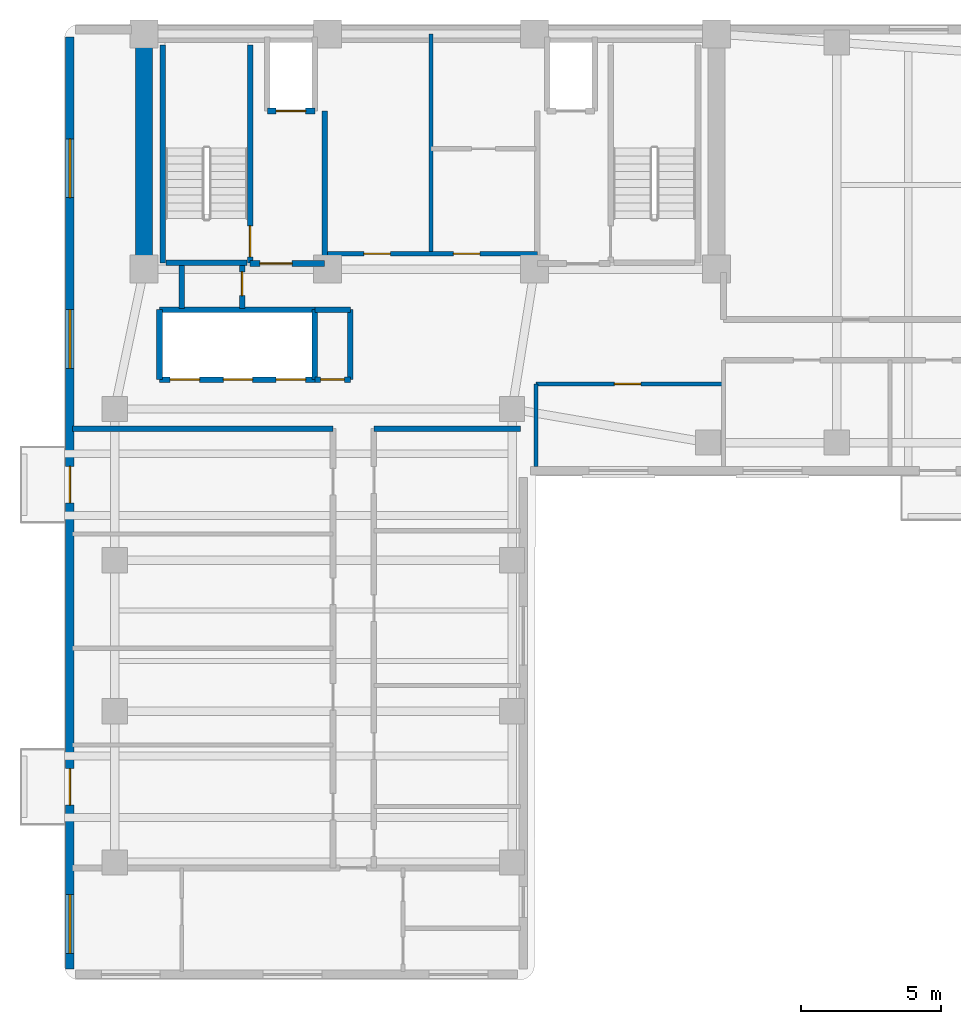
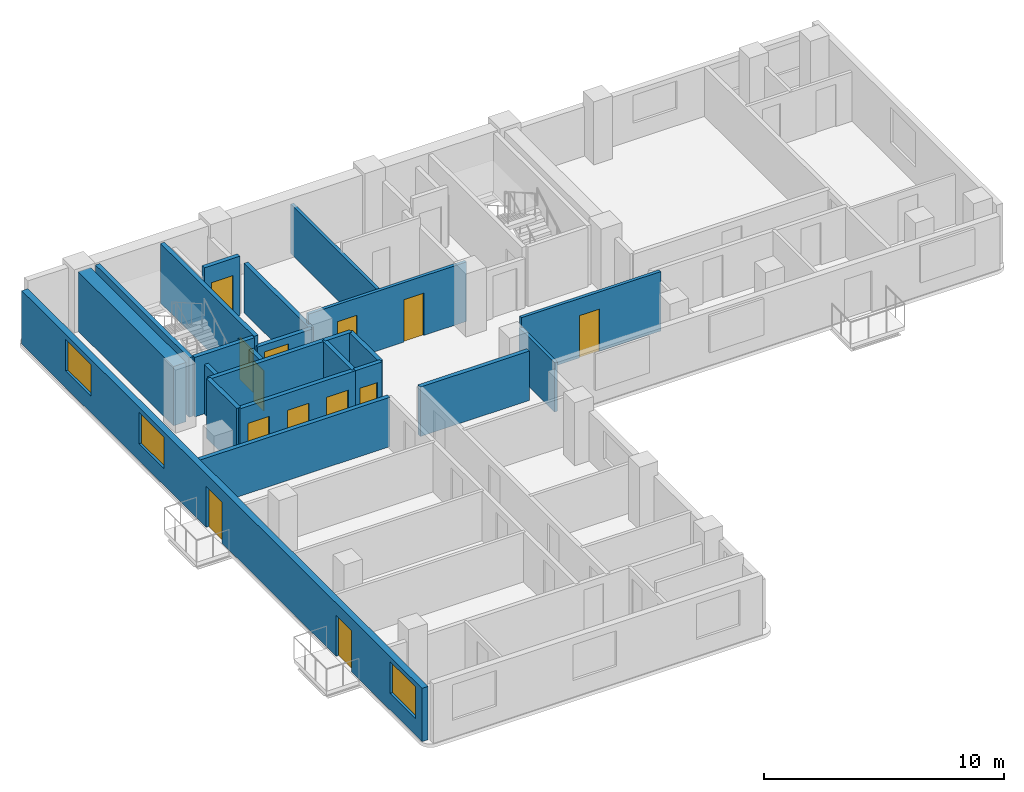
# One storey, part 3 of 7: 23 walls, 13 doors, 3 windows, 16 openings.
"""IFC4 building model written with IfcOpenShell, lengths in metres."""

import ifcopenshell
import ifcopenshell.guid

model = None  # the IFC model being written
_history = None  # IfcOwnerHistory: only IFC2X3 demands one
_inside = {}  # id of a spatial element -> (the spatial element, [elements in it])
_under = {}  # id of a project, library or spatial element -> (it, [spatial elements below it])
_declared = {}  # id of a project -> (the project, [libraries it declares])
_typed = {}  # id of a type object -> (the type object, [elements of that type])
_made_of = {}  # id of a material, layer set ... -> (it, [elements and type objects made of it])


def new_model(schema):
    """Start an empty IFC model of exactly this schema.

    Asked for "IFC4X3", IfcOpenShell would pick the latest addendum, in which some entities
    have other attributes; the version numbers below select the first issue.
    IFC2X3 requires an IfcOwnerHistory on every rooted entity: one is made here for all.
    """
    global model, _history
    if schema == "IFC4X3":
        model = ifcopenshell.file(schema_version=(4, 3, 0, 0))
    else:
        model = ifcopenshell.file(schema=schema)
    _inside.clear()
    _under.clear()
    _declared.clear()
    _typed.clear()
    _made_of.clear()
    _history = None
    if model.schema == "IFC2X3":
        org = make("IfcOrganization", Name="unknown")
        user = make(
            "IfcPersonAndOrganization",
            ThePerson=make("IfcPerson", FamilyName="unknown"),
            TheOrganization=org,
        )
        app = make(
            "IfcApplication",
            ApplicationDeveloper=org,
            Version="unknown",
            ApplicationFullName="unknown",
            ApplicationIdentifier="unknown",
        )
        _history = make(
            "IfcOwnerHistory",
            OwningUser=user,
            OwningApplication=app,
            ChangeAction="ADDED",
            CreationDate=0,
        )
    return model


def make(cls, **values):
    """One entity of the class cls with the attributes given. An attribute that is None is left unset."""
    return model.create_entity(
        cls, **{name: value for name, value in values.items() if value is not None}
    )


def rooted(cls, **values):
    """An entity with a GlobalId (a new one), such as an element, a storey or a relation."""
    return make(cls, GlobalId=ifcopenshell.guid.new(), OwnerHistory=_history, **values)


def si_unit(unit_type, name, prefix=None):
    """IfcSIUnit, for example si_unit("LENGTHUNIT", "METRE", prefix="MILLI")."""
    return make("IfcSIUnit", UnitType=unit_type, Prefix=prefix, Name=name)


def assignment(units):
    """IfcUnitAssignment: the units of a project."""
    return None if units is None else make("IfcUnitAssignment", Units=units)


def point(xyz):
    """IfcCartesianPoint."""
    return None if xyz is None else make("IfcCartesianPoint", Coordinates=xyz)


def direction(xyz):
    """IfcDirection."""
    return None if xyz is None else make("IfcDirection", DirectionRatios=xyz)


def frame(location, z_axis=None, x_axis=None):
    """IfcAxis2Placement3D, a coordinate frame: its origin and axes. An axis left out is left unset."""
    return make(
        "IfcAxis2Placement3D",
        Location=point(location),
        Axis=direction(z_axis),
        RefDirection=direction(x_axis),
    )


def frame_2d(location, x_axis=None):
    """IfcAxis2Placement2D, a coordinate frame in the plane: its origin and x axis."""
    return make(
        "IfcAxis2Placement2D", Location=point(location), RefDirection=direction(x_axis)
    )


def origin():
    """The frame at (0, 0, 0) with its axes left unset."""
    return frame((0.0, 0.0, 0.0))


def place(relative_to, where):
    """IfcLocalPlacement: puts the frame where relative to a parent placement (None: the world)."""
    return make(
        "IfcLocalPlacement", PlacementRelTo=relative_to, RelativePlacement=where
    )


def context(
    kind, dimensions, precision=None, world=None, true_north=None, identifier=None
):
    """IfcGeometricRepresentationContext, for example the 3D "Model" context."""
    return make(
        "IfcGeometricRepresentationContext",
        ContextIdentifier=identifier,
        ContextType=kind,
        CoordinateSpaceDimension=dimensions,
        Precision=precision,
        WorldCoordinateSystem=world,
        TrueNorth=true_north,
    )


def subcontext(parent, identifier, kind, view, scale=None):
    """IfcGeometricRepresentationSubContext, for example "Body" below "Model"."""
    return make(
        "IfcGeometricRepresentationSubContext",
        ContextIdentifier=identifier,
        ContextType=kind,
        ParentContext=parent,
        TargetScale=scale,
        TargetView=view,
    )


def project(units=None, contexts=None):
    """IfcProject with its units and contexts."""
    return rooted(
        "IfcProject",
        Name="project",
        RepresentationContexts=contexts,
        UnitsInContext=assignment(units),
    )


def spatial(cls, under=None, at=None, **own):
    """A site, building, storey or space (cls), placed at a placement, below another one or the project."""
    s = rooted(cls, ObjectPlacement=at, **own)
    if under is not None:
        _under.setdefault(under.id(), (under, []))[1].append(s)
    return s


def profile(cls, at=None, kind="AREA", **sizes):
    """A parametric profile (cls). Its sizes go by their IFC names, for example OverallWidth=200.0."""
    return make(cls, ProfileType=kind, Position=at, **sizes)


def rectangle(**sizes):
    """IfcRectangleProfileDef."""
    return profile("IfcRectangleProfileDef", **sizes)


def extrude(swept, where, along, depth):
    """IfcExtrudedAreaSolid: the profile swept, set in the frame where, extruded along a direction by depth."""
    return make(
        "IfcExtrudedAreaSolid",
        SweptArea=swept,
        Position=where,
        ExtrudedDirection=direction(along),
        Depth=depth,
    )


def shape(context_of_items, identifier, shape_type, items):
    """IfcShapeRepresentation: the items that make up one representation, for example the "Body"."""
    return make(
        "IfcShapeRepresentation",
        ContextOfItems=context_of_items,
        RepresentationIdentifier=identifier,
        RepresentationType=shape_type,
        Items=items,
    )


def material(Name=None, Category=None):
    """IfcMaterial."""
    return make("IfcMaterial", Name=Name, Category=Category)


def layer(
    of_material, thickness, ventilated=None, Name=None, Category=None, Priority=None
):
    """IfcMaterialLayer: one layer of a wall or slab, of a material (None: an air gap)."""
    return make(
        "IfcMaterialLayer",
        Material=of_material,
        LayerThickness=thickness,
        IsVentilated=ventilated,
        Name=Name,
        Category=Category,
        Priority=Priority,
    )


def layer_set(layers, Name=None):
    """IfcMaterialLayerSet."""
    return make("IfcMaterialLayerSet", MaterialLayers=layers, LayerSetName=Name)


def made_of(thing, what):
    """Note that an element or type object is made of a material, layer set ...; save() writes the relation."""
    if what is not None:
        _made_of.setdefault(what.id(), (what, []))[1].append(thing)
    return thing


def type_object(cls, material=None, **own):
    """A type object (cls), such as IfcWallType, which elements share."""
    return made_of(rooted(cls, **own), material)


def element(
    cls,
    number,
    at=None,
    inside=None,
    cuts=None,
    type_object=None,
    material=None,
    context=None,
    identifier="Body",
    shape_type=None,
    held_by="IfcProductDefinitionShape",
    body=None,
    shapes=None,
    **own,
):
    """One element of the class cls, such as IfcWall. Its Tag is "e" and its number.

    at: its placement. inside: the storey or other place that contains it. cuts: it is an
    opening in that element (IfcRelVoidsElement). A single representation is given by context,
    identifier, shape_type and body (its items); several are given by shapes. held_by: the class
    of the entity that holds the representations. save() writes the other relations.
    """
    e = rooted(cls, Tag="e%d" % number, ObjectPlacement=at, **own)
    if body is not None:
        shapes = [shape(context, identifier, shape_type, body)]
    if shapes is not None:
        e.Representation = make(held_by, Representations=shapes)
    if inside is not None:
        _inside.setdefault(inside.id(), (inside, []))[1].append(e)
    if cuts is not None:
        rooted(
            "IfcRelVoidsElement", RelatingBuildingElement=cuts, RelatedOpeningElement=e
        )
    if type_object is not None:
        _typed.setdefault(type_object.id(), (type_object, []))[1].append(e)
    return made_of(e, material)


def fill(opening, filler):
    """IfcRelFillsElement: the door or window that sits in an opening."""
    return rooted(
        "IfcRelFillsElement",
        RelatingOpeningElement=opening,
        RelatedBuildingElement=filler,
    )


def aggregate(whole, parts):
    """IfcRelAggregates: a whole, such as a stair, and the parts it consists of."""
    return rooted("IfcRelAggregates", RelatingObject=whole, RelatedObjects=parts)


def save(model, path):
    """Write the relations noted so far, then the file.

    IfcRelAggregates (storeys below a building ...), IfcRelContainedInSpatialStructure (elements
    in a storey), IfcRelDefinesByType, IfcRelAssociatesMaterial and IfcRelDeclares: one each for
    every whole, place, type object, material and project.
    """
    for whole, parts in _under.values():
        aggregate(whole, parts)
    for where, things in _inside.values():
        rooted(
            "IfcRelContainedInSpatialStructure",
            RelatedElements=things,
            RelatingStructure=where,
        )
    for kind, things in _typed.values():
        rooted("IfcRelDefinesByType", RelatedObjects=things, RelatingType=kind)
    for what, things in _made_of.values():
        rooted("IfcRelAssociatesMaterial", RelatedObjects=things, RelatingMaterial=what)
    for by, libraries in _declared.values():
        rooted("IfcRelDeclares", RelatingContext=by, RelatedDefinitions=libraries)
    model.write(path)


model = new_model("IFC4")

# Units and contexts
model_context = context("Model", 3, precision=1e-05, world=origin(), true_north=direction((0.0, 1.0)))
body_context = subcontext(model_context, "Body", "Model", "MODEL_VIEW")
ifc_project = project(units=[si_unit("LENGTHUNIT", "METRE"), si_unit("AREAUNIT", "SQUARE_METRE"), si_unit("VOLUMEUNIT", "CUBIC_METRE"), si_unit("PLANEANGLEUNIT", "RADIAN"), si_unit("MASSUNIT", "GRAM", prefix="KILO")], contexts=[model_context])

# Site, building, storey
site_placement = place(None, origin())
site = spatial("IfcSite", under=ifc_project, at=site_placement, CompositionType="ELEMENT")
building_placement = place(site_placement, origin())
building = spatial("IfcBuilding", under=site, at=building_placement, Name="Kuzgunbayir Cultural Tower", CompositionType="ELEMENT")
storey_placement = place(building_placement, frame((0.0, 0.0, 188.800048828125)))
storey = spatial("IfcBuildingStorey", under=building, at=storey_placement, Name="L55", CompositionType="ELEMENT", Elevation=188.800048828125)

# Wall
ifc_material_1 = material(Name="Concrete C60/75", Category="concrete")
ifc_layer_1 = layer(ifc_material_1, 0.60009765625)
ifc_layer_set_1 = layer_set([ifc_layer_1], Name="Concrete C60/75")
wall_type_1 = type_object("IfcWallType", Name="WAL-CORE-600", PredefinedType="SHEAR", material=ifc_layer_set_1)
wall_1_placement = place(storey_placement, frame((6.449951171875, 33.800048828125, 0.0), z_axis=(0.0, 0.0, 1.0), x_axis=(0.0, 1.0, 0.0)))
element("IfcWall", 1, at=wall_1_placement, inside=storey, type_object=wall_type_1, Name="L55 T1 Core West Shear Wall", PredefinedType="SHEAR", context=body_context, shape_type="SweptSolid", body=[
    extrude(rectangle(XDim=7.949951171875, YDim=0.60009765625, at=frame_2d((3.97509765625, 0.0))), origin(), (0.0, 0.0, 1.0), 3.02001953125),
])

# Wall, openings, doors, windows
ifc_material_2 = material(Name="Anatolian Cream Limestone", Category="masonry")
ifc_layer_2 = layer(ifc_material_2, 0.300048828125)
ifc_layer_set_2 = layer_set([ifc_layer_2], Name="Anatolian Cream Limestone")
wall_type_2 = type_object("IfcWallType", Name="WAL-EXT-STONE-300", PredefinedType="STANDARD", material=ifc_layer_set_2)
wall_2_placement = place(storey_placement, frame((3.800048828125, 42.10009765625, 0.0), z_axis=(0.0, 0.0, 1.0), x_axis=(0.0, -1.0, 0.0)))
wall_2 = element("IfcWall", 2, at=wall_2_placement, inside=storey, type_object=wall_type_2, Name="L55 Wing A West Limestone Wall", PredefinedType="STANDARD", context=body_context, shape_type="SweptSolid", body=[
    extrude(rectangle(XDim=33.300048828125, YDim=0.300048828125, at=frame_2d((16.64990234375, 0.0))), origin(), (0.0, 0.0, 1.0), 2.7099609375),
])
opening_1_placement = place(wall_2_placement, frame((26.14990234375, 0.0, 0.0)))
opening_1 = element("IfcOpeningElement", 3, at=opening_1_placement, cuts=wall_2, Name="Opening BD-13", PredefinedType="OPENING", context=body_context, shape_type="SweptSolid", body=[
    extrude(rectangle(XDim=1.300048828125, YDim=2.080078125, at=frame_2d((0.64990234375, 1.0400390625))), frame((0.0, 0.16015625, 0.0), z_axis=(0.0, -1.0, 0.0), x_axis=(1.0, 0.0, 0.0)), (0.0, 0.0, 1.0), 0.320068359375),
])
opening_2_placement = place(wall_2_placement, frame((15.35009765625, 0.0, 0.0)))
opening_2 = element("IfcOpeningElement", 4, at=opening_2_placement, cuts=wall_2, Name="Opening BD-13", PredefinedType="OPENING", context=body_context, shape_type="SweptSolid", body=[
    extrude(rectangle(XDim=1.300048828125, YDim=2.080078125, at=frame_2d((0.64990234375, 1.0400390625))), frame((0.0, 0.16015625, 0.0), z_axis=(0.0, -1.0, 0.0), x_axis=(1.0, 0.0, 0.0)), (0.0, 0.0, 1.0), 0.320068359375),
])
opening_3_placement = place(wall_2_placement, frame((30.64990234375, 0.0, 0.85009765625)))
opening_3 = element("IfcOpeningElement", 5, at=opening_3_placement, cuts=wall_2, Name="Opening WR-21", PredefinedType="OPENING", context=body_context, shape_type="SweptSolid", body=[
    extrude(rectangle(XDim=2.10009765625, YDim=1.610107421875, at=frame_2d((1.050048828125, 0.80517578125))), frame((0.0, 0.16015625, 0.0), z_axis=(0.0, -1.0, 0.0), x_axis=(1.0, 0.0, 0.0)), (0.0, 0.0, 1.0), 0.320068359375),
])
opening_4_placement = place(wall_2_placement, frame((9.75, 0.0, 0.85009765625)))
opening_4 = element("IfcOpeningElement", 6, at=opening_4_placement, cuts=wall_2, Name="Opening WR-21", PredefinedType="OPENING", context=body_context, shape_type="SweptSolid", body=[
    extrude(rectangle(XDim=2.10009765625, YDim=1.610107421875, at=frame_2d((1.050048828125, 0.80517578125))), frame((0.0, 0.16015625, 0.0), z_axis=(0.0, -1.0, 0.0), x_axis=(1.0, 0.0, 0.0)), (0.0, 0.0, 1.0), 0.320068359375),
])
opening_5_placement = place(wall_2_placement, frame((3.64990234375, 0.0, 0.85009765625)))
opening_5 = element("IfcOpeningElement", 7, at=opening_5_placement, cuts=wall_2, Name="Opening WR-21", PredefinedType="OPENING", context=body_context, shape_type="SweptSolid", body=[
    extrude(rectangle(XDim=2.10009765625, YDim=1.610107421875, at=frame_2d((1.050048828125, 0.80517578125))), frame((0.0, 0.16015625, 0.0), z_axis=(0.0, -1.0, 0.0), x_axis=(1.0, 0.0, 0.0)), (0.0, 0.0, 1.0), 0.320068359375),
])
ifc_material_3 = material(Name="Thermally Broken Glazed Aluminium", Category="aluminium")
door_type_1 = type_object("IfcDoorType", Name="DR-BALCONY-135", OperationType="SLIDING_TO_LEFT", PredefinedType="DOOR", material=ifc_material_3)
door_1_placement = place(opening_1_placement, origin())
door_1 = element("IfcDoor", 8, at=door_1_placement, inside=storey, type_object=door_type_1, Name="L55 West Balcony Sliding Door BAL-L55-WA1", OperationType="SLIDING_TO_LEFT", OverallHeight=2.080078125, OverallWidth=1.300048828125, PredefinedType="DOOR", context=body_context, shape_type="SweptSolid", body=[
    extrude(rectangle(XDim=1.300048828125, YDim=2.080078125, at=frame_2d((0.64990234375, 1.0400390625))), frame((0.0, 0.02490234375, 0.0), z_axis=(0.0, -1.0, 0.0), x_axis=(1.0, 0.0, 0.0)), (0.0, 0.0, 1.0), 0.050048828125),
])
fill(opening_1, door_1)
door_2_placement = place(opening_2_placement, origin())
door_2 = element("IfcDoor", 9, at=door_2_placement, inside=storey, type_object=door_type_1, Name="L55 West Balcony Sliding Door BAL-L55-WA3", OperationType="SLIDING_TO_LEFT", OverallHeight=2.080078125, OverallWidth=1.300048828125, PredefinedType="DOOR", context=body_context, shape_type="SweptSolid", body=[
    extrude(rectangle(XDim=1.300048828125, YDim=2.080078125, at=frame_2d((0.64990234375, 1.0400390625))), frame((0.0, 0.02490234375, 0.0), z_axis=(0.0, -1.0, 0.0), x_axis=(1.0, 0.0, 0.0)), (0.0, 0.0, 1.0), 0.050048828125),
])
fill(opening_2, door_2)
ifc_material_4 = material(Name="Solar-Control Triple Glazing", Category="glass")
window_type = type_object("IfcWindowType", Name="WIN-RESID-21", PartitioningType="SINGLE_PANEL", PredefinedType="WINDOW", material=ifc_material_4)
window_1_placement = place(opening_3_placement, origin())
window_1 = element("IfcWindow", 10, at=window_1_placement, inside=storey, type_object=window_type, Name="L55 WAW Facade Window 10", OverallHeight=1.610107421875, OverallWidth=2.10009765625, PartitioningType="SINGLE_PANEL", PredefinedType="WINDOW", context=body_context, shape_type="SweptSolid", body=[
    extrude(rectangle(XDim=2.10009765625, YDim=1.610107421875, at=frame_2d((1.050048828125, 0.80517578125))), frame((0.0, 0.030029296875, 0.0), z_axis=(0.0, -1.0, 0.0), x_axis=(1.0, 0.0, 0.0)), (0.0, 0.0, 1.0), 0.06005859375),
])
fill(opening_3, window_1)
window_2_placement = place(opening_4_placement, origin())
window_2 = element("IfcWindow", 11, at=window_2_placement, inside=storey, type_object=window_type, Name="L55 WAW Facade Window 11", OverallHeight=1.610107421875, OverallWidth=2.10009765625, PartitioningType="SINGLE_PANEL", PredefinedType="WINDOW", context=body_context, shape_type="SweptSolid", body=[
    extrude(rectangle(XDim=2.10009765625, YDim=1.610107421875, at=frame_2d((1.050048828125, 0.80517578125))), frame((0.0, 0.030029296875, 0.0), z_axis=(0.0, -1.0, 0.0), x_axis=(1.0, 0.0, 0.0)), (0.0, 0.0, 1.0), 0.06005859375),
])
fill(opening_4, window_2)
window_3_placement = place(opening_5_placement, origin())
window_3 = element("IfcWindow", 12, at=window_3_placement, inside=storey, type_object=window_type, Name="L55 WAW Facade Window 12", OverallHeight=1.610107421875, OverallWidth=2.10009765625, PartitioningType="SINGLE_PANEL", PredefinedType="WINDOW", context=body_context, shape_type="SweptSolid", body=[
    extrude(rectangle(XDim=2.10009765625, YDim=1.610107421875, at=frame_2d((1.050048828125, 0.80517578125))), frame((0.0, 0.030029296875, 0.0), z_axis=(0.0, -1.0, 0.0), x_axis=(1.0, 0.0, 0.0)), (0.0, 0.0, 1.0), 0.06005859375),
])
fill(opening_5, window_3)

# Wall, openings, doors
ifc_material_5 = material(Name="Acoustic Double-Stud Drywall", Category="gypsum")
ifc_layer_3 = layer(ifc_material_5, 0.14990234375)
ifc_layer_set_3 = layer_set([ifc_layer_3], Name="Acoustic Double-Stud Drywall")
wall_type_3 = type_object("IfcWallType", Name="WAL-PART-ACOUSTIC-150", PredefinedType="PARTITIONING", material=ifc_layer_set_3)
wall_3_placement = place(storey_placement, frame((12.89990234375, 34.35009765625, 0.0), z_axis=(0.0, 0.0, 1.0), x_axis=(1.0, 0.0, 0.0)))
wall_3 = element("IfcWall", 13, at=wall_3_placement, inside=storey, type_object=wall_type_3, Name="L55 Sky Core South Wall", PredefinedType="PARTITIONING", context=body_context, shape_type="SweptSolid", body=[
    extrude(rectangle(XDim=7.60009765625, YDim=0.14990234375, at=frame_2d((3.800048828125, 0.0))), origin(), (0.0, 0.0, 1.0), 3.02001953125),
])
opening_6_placement = place(wall_3_placement, frame((1.39990234375, 0.0, 0.0)))
opening_6 = element("IfcOpeningElement", 14, at=opening_6_placement, cuts=wall_3, Name="Opening DC-95", PredefinedType="OPENING", context=body_context, shape_type="SweptSolid", body=[
    extrude(rectangle(XDim=0.949951171875, YDim=2.14990234375, at=frame_2d((0.47509765625, 1.074951171875))), frame((0.0, 0.0849609375, 0.0), z_axis=(0.0, -1.0, 0.0), x_axis=(1.0, 0.0, 0.0)), (0.0, 0.0, 1.0), 0.169921875),
])
opening_7_placement = place(wall_3_placement, frame((4.60009765625, 0.0, 0.0)))
opening_7 = element("IfcOpeningElement", 15, at=opening_7_placement, cuts=wall_3, Name="Opening DC-95", PredefinedType="OPENING", context=body_context, shape_type="SweptSolid", body=[
    extrude(rectangle(XDim=0.949951171875, YDim=2.14990234375, at=frame_2d((0.47509765625, 1.074951171875))), frame((0.0, 0.0849609375, 0.0), z_axis=(0.0, -1.0, 0.0), x_axis=(1.0, 0.0, 0.0)), (0.0, 0.0, 1.0), 0.169921875),
])
ifc_material_6 = material(Name="Fire-Rated Veneered Oak Leaf", Category="wood")
door_type_2 = type_object("IfcDoorType", Name="DR-CORE-95", OperationType="NOTDEFINED", PredefinedType="DOOR", material=ifc_material_6)
door_3_placement = place(opening_6_placement, origin())
door_3 = element("IfcDoor", 16, at=door_3_placement, inside=storey, type_object=door_type_2, Name="L55 Library Alcove Door", OperationType="SINGLE_SWING_LEFT", OverallHeight=2.14990234375, OverallWidth=0.949951171875, PredefinedType="DOOR", context=body_context, shape_type="SweptSolid", body=[
    extrude(rectangle(XDim=0.949951171875, YDim=2.14990234375, at=frame_2d((0.47509765625, 1.074951171875))), frame((0.0, 0.02490234375, 0.0), z_axis=(0.0, -1.0, 0.0), x_axis=(1.0, 0.0, 0.0)), (0.0, 0.0, 1.0), 0.050048828125),
])
fill(opening_6, door_3)
door_4_placement = place(opening_7_placement, origin())
door_4 = element("IfcDoor", 17, at=door_4_placement, inside=storey, type_object=door_type_2, Name="L55 Music Practice Room Door", OperationType="SINGLE_SWING_RIGHT", OverallHeight=2.14990234375, OverallWidth=0.949951171875, PredefinedType="DOOR", context=body_context, shape_type="SweptSolid", body=[
    extrude(rectangle(XDim=0.949951171875, YDim=2.14990234375, at=frame_2d((0.47509765625, 1.074951171875))), frame((0.0, 0.02490234375, 0.0), z_axis=(0.0, -1.0, 0.0), x_axis=(1.0, 0.0, 0.0)), (0.0, 0.0, 1.0), 0.050048828125),
])
fill(opening_7, door_4)

# Wall
wall_4_placement = place(storey_placement, frame((16.699951171875, 34.35009765625, 0.0), z_axis=(0.0, 0.0, 1.0), x_axis=(0.0, 1.0, 0.0)))
element("IfcWall", 18, at=wall_4_placement, inside=storey, type_object=wall_type_3, Name="L55 Sky Core Vertical Wall", PredefinedType="PARTITIONING", context=body_context, shape_type="SweptSolid", body=[
    extrude(rectangle(XDim=7.849853515625, YDim=0.14990234375, at=frame_2d((3.9248046875, 0.0))), origin(), (0.0, 0.0, 1.0), 2.510009765625),
])

# Wall, opening, door
wall_5_placement = place(storey_placement, frame((20.449951171875, 29.699951171875, 0.0), z_axis=(0.0, 0.0, 1.0), x_axis=(1.0, 0.0, 0.0)))
wall_5 = element("IfcWall", 19, at=wall_5_placement, inside=storey, type_object=wall_type_3, Name="L55 Waist Alcove North Wall", PredefinedType="PARTITIONING", context=body_context, shape_type="SweptSolid", body=[
    extrude(rectangle(XDim=6.699951171875, YDim=0.14990234375, at=frame_2d((3.35009765625, 0.0))), origin(), (0.0, 0.0, 1.0), 3.02001953125),
])
opening_8_placement = place(wall_5_placement, frame((2.800048828125, 0.0, 0.0)))
opening_8 = element("IfcOpeningElement", 20, at=opening_8_placement, cuts=wall_5, Name="Opening DI-90", PredefinedType="OPENING", context=body_context, shape_type="SweptSolid", body=[
    extrude(rectangle(XDim=0.949951171875, YDim=2.14990234375, at=frame_2d((0.47509765625, 1.074951171875))), frame((0.0, 0.0849609375, 0.0), z_axis=(0.0, -1.0, 0.0), x_axis=(1.0, 0.0, 0.0)), (0.0, 0.0, 1.0), 0.169921875),
])
ifc_material_7 = material(Name="Veneered Oak Single Leaf", Category="wood")
door_type_3 = type_object("IfcDoorType", Name="DR-INT-90", OperationType="NOTDEFINED", PredefinedType="DOOR", material=ifc_material_7)
door_5_placement = place(opening_8_placement, origin())
door_5 = element("IfcDoor", 21, at=door_5_placement, inside=storey, type_object=door_type_3, Name="L55 Waist Alcove Door", OperationType="SINGLE_SWING_RIGHT", OverallHeight=2.14990234375, OverallWidth=0.949951171875, PredefinedType="DOOR", context=body_context, shape_type="SweptSolid", body=[
    extrude(rectangle(XDim=0.949951171875, YDim=2.14990234375, at=frame_2d((0.47509765625, 1.074951171875))), frame((0.0, 0.02490234375, 0.0), z_axis=(0.0, -1.0, 0.0), x_axis=(1.0, 0.0, 0.0)), (0.0, 0.0, 1.0), 0.050048828125),
])
fill(opening_8, door_5)

# Walls
wall_6_placement = place(storey_placement, frame((20.449951171875, 26.75, 0.0), z_axis=(0.0, 0.0, 1.0), x_axis=(0.0, 1.0, 0.0)))
element("IfcWall", 22, at=wall_6_placement, inside=storey, type_object=wall_type_3, Name="L55 Waist Alcove West Wall", PredefinedType="PARTITIONING", context=body_context, shape_type="SweptSolid", body=[
    extrude(rectangle(XDim=2.949951171875, YDim=0.14990234375, at=frame_2d((1.47509765625, 0.0))), origin(), (0.0, 0.0, 1.0), 2.510009765625),
])
ifc_material_8 = material(Name="Aerated Concrete Blockwork", Category="masonry")
ifc_layer_4 = layer(ifc_material_8, 0.199951171875)
ifc_layer_set_4 = layer_set([ifc_layer_4], Name="Aerated Concrete Blockwork")
wall_type_4 = type_object("IfcWallType", Name="WAL-PART-FIRE-200", PredefinedType="PARTITIONING", material=ifc_layer_set_4)
wall_7_placement = place(storey_placement, frame((12.89990234375, 34.0, 0.0), z_axis=(0.0, 0.0, 1.0), x_axis=(0.0, 1.0, 0.0)))
element("IfcWall", 23, at=wall_7_placement, inside=storey, type_object=wall_type_4, Name="L55 FFL-1 Lobby East Fire Wall", PredefinedType="PARTITIONING", context=body_context, shape_type="SweptSolid", body=[
    extrude(rectangle(XDim=5.449951171875, YDim=0.199951171875, at=frame_2d((2.72509765625, 0.0))), origin(), (0.0, 0.0, 1.0), 2.510009765625),
])

# Wall, opening, door
wall_8_placement = place(storey_placement, frame((10.239990234375, 34.0, 0.0), z_axis=(0.0, 0.0, 1.0), x_axis=(1.0, 0.0, 0.0)))
wall_8 = element("IfcWall", 24, at=wall_8_placement, inside=storey, type_object=wall_type_4, Name="L55 FFL-1 Lobby South Fire Wall", PredefinedType="PARTITIONING", context=body_context, shape_type="SweptSolid", body=[
    extrude(rectangle(XDim=2.659912109375, YDim=0.199951171875, at=frame_2d((1.330078125, 0.0))), origin(), (0.0, 0.0, 1.0), 2.510009765625),
])
opening_9_placement = place(wall_8_placement, frame((0.35009765625, 0.0, 0.0)))
opening_9 = element("IfcOpeningElement", 25, at=opening_9_placement, cuts=wall_8, Name="Opening DR-FFL-90", PredefinedType="OPENING", context=body_context, shape_type="SweptSolid", body=[
    extrude(rectangle(XDim=1.14990234375, YDim=2.14990234375, at=frame_2d((0.574951171875, 1.074951171875))), frame((0.0, 0.10986328125, 0.0), z_axis=(0.0, -1.0, 0.0), x_axis=(1.0, 0.0, 0.0)), (0.0, 0.0, 1.0), 0.219970703125),
])
ifc_material_9 = material(Name="Steel S355J2", Category="steel")
door_type_4 = type_object("IfcDoorType", Name="DR-FFL-90", OperationType="NOTDEFINED", PredefinedType="DOOR", material=ifc_material_9)
door_6_placement = place(opening_9_placement, origin())
door_6 = element("IfcDoor", 26, at=door_6_placement, inside=storey, type_object=door_type_4, Name="L55 Firefighting Lobby 1 Door", OperationType="SINGLE_SWING_LEFT", OverallHeight=2.14990234375, OverallWidth=1.14990234375, PredefinedType="DOOR", context=body_context, shape_type="SweptSolid", body=[
    extrude(rectangle(XDim=1.14990234375, YDim=2.14990234375, at=frame_2d((0.574951171875, 1.074951171875))), frame((0.0, 0.02490234375, 0.0), z_axis=(0.0, -1.0, 0.0), x_axis=(1.0, 0.0, 0.0)), (0.0, 0.0, 1.0), 0.050048828125),
])
fill(opening_9, door_6)

wall_9_placement = place(storey_placement, frame((12.550048828125, 29.85009765625, 0.0), z_axis=(0.0, 0.0, 1.0), x_axis=(1.0, 0.0, 0.0)))
wall_9 = element("IfcWall", 27, at=wall_9_placement, inside=storey, type_object=wall_type_4, Name="L55 Center Core Switchgear South Wall", PredefinedType="PARTITIONING", context=body_context, shape_type="SweptSolid", body=[
    extrude(rectangle(XDim=1.27001953125, YDim=0.199951171875, at=frame_2d((0.635009765625, 0.0))), origin(), (0.0, 0.0, 1.0), 3.02001953125),
])
opening_10_placement = place(wall_9_placement, frame((0.2099609375, 0.0, 0.0)))
opening_10 = element("IfcOpeningElement", 28, at=opening_10_placement, cuts=wall_9, Name="Opening DR-RSR-60", PredefinedType="OPENING", context=body_context, shape_type="SweptSolid", body=[
    extrude(rectangle(XDim=0.85009765625, YDim=2.050048828125, at=frame_2d((0.425048828125, 1.02490234375))), frame((0.0, 0.10986328125, 0.0), z_axis=(0.0, -1.0, 0.0), x_axis=(1.0, 0.0, 0.0)), (0.0, 0.0, 1.0), 0.219970703125),
])
ifc_material_10 = material(Name="Steel Access Leaf", Category="steel")
door_type_5 = type_object("IfcDoorType", Name="DR-RISER-60", OperationType="NOTDEFINED", PredefinedType="DOOR", material=ifc_material_10)
door_7_placement = place(opening_10_placement, origin())
door_7 = element("IfcDoor", 29, at=door_7_placement, inside=storey, type_object=door_type_5, Name="L55 Electrical Switchgear Closet Door", OperationType="SINGLE_SWING_LEFT", OverallHeight=2.050048828125, OverallWidth=0.85009765625, PredefinedType="DOOR", context=body_context, shape_type="SweptSolid", body=[
    extrude(rectangle(XDim=0.85009765625, YDim=2.050048828125, at=frame_2d((0.425048828125, 1.02490234375))), frame((0.0, 0.02490234375, 0.0), z_axis=(0.0, -1.0, 0.0), x_axis=(1.0, 0.0, 0.0)), (0.0, 0.0, 1.0), 0.050048828125),
])
fill(opening_10, door_7)

# Walls
wall_10_placement = place(storey_placement, frame((13.820068359375, 29.85009765625, 0.0), z_axis=(0.0, 0.0, 1.0), x_axis=(0.0, 1.0, 0.0)))
element("IfcWall", 30, at=wall_10_placement, inside=storey, type_object=wall_type_4, Name="L55 Center Core Switchgear East Wall", PredefinedType="PARTITIONING", context=body_context, shape_type="SweptSolid", body=[
    extrude(rectangle(XDim=2.5, YDim=0.199951171875, at=frame_2d((1.25, 0.0))), origin(), (0.0, 0.0, 1.0), 3.02001953125),
])
wall_11_placement = place(storey_placement, frame((12.550048828125, 32.35009765625, 0.0), z_axis=(0.0, 0.0, 1.0), x_axis=(1.0, 0.0, 0.0)))
element("IfcWall", 31, at=wall_11_placement, inside=storey, type_object=wall_type_4, Name="L55 Center Core Switchgear North Wall", PredefinedType="PARTITIONING", context=body_context, shape_type="SweptSolid", body=[
    extrude(rectangle(XDim=1.27001953125, YDim=0.199951171875, at=frame_2d((0.635009765625, 0.0))), origin(), (0.0, 0.0, 1.0), 3.02001953125),
])
wall_12_placement = place(storey_placement, frame((7.800048828125, 32.39990234375, 0.0), z_axis=(0.0, 0.0, 1.0), x_axis=(0.0, 1.0, 0.0)))
element("IfcWall", 32, at=wall_12_placement, inside=storey, type_object=wall_type_4, Name="L55 West Core Electrical Closet West Wall", PredefinedType="PARTITIONING", context=body_context, shape_type="SweptSolid", body=[
    extrude(rectangle(XDim=1.52001953125, YDim=0.199951171875, at=frame_2d((0.760009765625, 0.0))), origin(), (0.0, 0.0, 1.0), 2.510009765625),
])

# Wall, opening, door
wall_13_placement = place(storey_placement, frame((9.949951171875, 32.39990234375, 0.0), z_axis=(0.0, 0.0, 1.0), x_axis=(0.0, 1.0, 0.0)))
wall_13 = element("IfcWall", 33, at=wall_13_placement, inside=storey, type_object=wall_type_4, Name="L55 West Core Electrical Closet East Wall", PredefinedType="PARTITIONING", context=body_context, shape_type="SweptSolid", body=[
    extrude(rectangle(XDim=1.52001953125, YDim=0.199951171875, at=frame_2d((0.760009765625, 0.0))), origin(), (0.0, 0.0, 1.0), 2.510009765625),
])
opening_11_placement = place(wall_13_placement, frame((0.449951171875, 0.0, 0.0)))
opening_11 = element("IfcOpeningElement", 34, at=opening_11_placement, cuts=wall_13, Name="Opening DR-RSR-60", PredefinedType="OPENING", context=body_context, shape_type="SweptSolid", body=[
    extrude(rectangle(XDim=0.85009765625, YDim=2.050048828125, at=frame_2d((0.425048828125, 1.02490234375))), frame((0.0, 0.10986328125, 0.0), z_axis=(0.0, -1.0, 0.0), x_axis=(1.0, 0.0, 0.0)), (0.0, 0.0, 1.0), 0.219970703125),
])
door_8_placement = place(opening_11_placement, origin())
door_8 = element("IfcDoor", 35, at=door_8_placement, inside=storey, type_object=door_type_5, Name="L55 West Core Switchgear Closet Door", OperationType="SINGLE_SWING_RIGHT", OverallHeight=2.050048828125, OverallWidth=0.85009765625, PredefinedType="DOOR", context=body_context, shape_type="SweptSolid", body=[
    extrude(rectangle(XDim=0.85009765625, YDim=2.050048828125, at=frame_2d((0.425048828125, 1.02490234375))), frame((0.0, 0.02490234375, 0.0), z_axis=(0.0, -1.0, 0.0), x_axis=(1.0, 0.0, 0.0)), (0.0, 0.0, 1.0), 0.050048828125),
])
fill(opening_11, door_8)

# Walls
wall_14_placement = place(storey_placement, frame((3.89990234375, 28.10009765625, 0.0), z_axis=(0.0, 0.0, 1.0), x_axis=(1.0, 0.0, 0.0)))
element("IfcWall", 36, at=wall_14_placement, inside=storey, type_object=wall_type_4, Name="L55 North West Partition", PredefinedType="PARTITIONING", context=body_context, shape_type="SweptSolid", body=[
    extrude(rectangle(XDim=9.300048828125, YDim=0.199951171875, at=frame_2d((4.64990234375, 0.0))), origin(), (0.0, 0.0, 1.0), 2.510009765625),
])
wall_15_placement = place(storey_placement, frame((14.659912109375, 28.10009765625, 0.0), z_axis=(0.0, 0.0, 1.0), x_axis=(1.0, 0.0, 0.0)))
element("IfcWall", 37, at=wall_15_placement, inside=storey, type_object=wall_type_4, Name="L55 North East Partition", PredefinedType="PARTITIONING", context=body_context, shape_type="SweptSolid", body=[
    extrude(rectangle(XDim=5.239990234375, YDim=0.199951171875, at=frame_2d((2.6201171875, 0.0))), origin(), (0.0, 0.0, 1.0), 2.510009765625),
])

# Wall, openings, doors
ifc_material_11 = material(Name="Concrete C40/50", Category="concrete")
ifc_layer_5 = layer(ifc_material_11, 0.199951171875)
ifc_layer_set_5 = layer_set([ifc_layer_5], Name="Concrete C40/50")
wall_type_5 = type_object("IfcWallType", Name="WAL-SHAFT-200", PredefinedType="MOVABLE", material=ifc_layer_set_5)
wall_16_placement = place(storey_placement, frame((7.0, 29.85009765625, 0.0), z_axis=(0.0, 0.0, 1.0), x_axis=(1.0, 0.0, 0.0)))
wall_16 = element("IfcWall", 38, at=wall_16_placement, inside=storey, type_object=wall_type_5, Name="L55 High-Rise Lift Shaft South Wall", PredefinedType="MOVABLE", context=body_context, shape_type="SweptSolid", body=[
    extrude(rectangle(XDim=5.550048828125, YDim=0.199951171875, at=frame_2d((2.77490234375, 0.0))), origin(), (0.0, 0.0, 1.0), 3.02001953125),
])
opening_12_placement = place(wall_16_placement, frame((0.3798828125, 0.0, 0.0)))
opening_12 = element("IfcOpeningElement", 39, at=opening_12_placement, cuts=wall_16, Name="Opening LD", PredefinedType="OPENING", context=body_context, shape_type="SweptSolid", body=[
    extrude(rectangle(XDim=1.050048828125, YDim=2.14990234375, at=frame_2d((0.52490234375, 1.074951171875))), frame((0.0, 0.10986328125, 0.0), z_axis=(0.0, -1.0, 0.0), x_axis=(1.0, 0.0, 0.0)), (0.0, 0.0, 1.0), 0.219970703125),
])
opening_13_placement = place(wall_16_placement, frame((2.280029296875, 0.0, 0.0)))
opening_13 = element("IfcOpeningElement", 40, at=opening_13_placement, cuts=wall_16, Name="Opening LD", PredefinedType="OPENING", context=body_context, shape_type="SweptSolid", body=[
    extrude(rectangle(XDim=1.050048828125, YDim=2.14990234375, at=frame_2d((0.52490234375, 1.074951171875))), frame((0.0, 0.10986328125, 0.0), z_axis=(0.0, -1.0, 0.0), x_axis=(1.0, 0.0, 0.0)), (0.0, 0.0, 1.0), 0.219970703125),
])
opening_14_placement = place(wall_16_placement, frame((4.169921875, 0.0, 0.0)))
opening_14 = element("IfcOpeningElement", 41, at=opening_14_placement, cuts=wall_16, Name="Opening LD", PredefinedType="OPENING", context=body_context, shape_type="SweptSolid", body=[
    extrude(rectangle(XDim=1.050048828125, YDim=2.14990234375, at=frame_2d((0.52490234375, 1.074951171875))), frame((0.0, 0.10986328125, 0.0), z_axis=(0.0, -1.0, 0.0), x_axis=(1.0, 0.0, 0.0)), (0.0, 0.0, 1.0), 0.219970703125),
])
ifc_material_12 = material(Name="Brushed Stainless Steel", Category="steel")
door_type_6 = type_object("IfcDoorType", Name="DR-LIFT-LANDING", OperationType="SLIDING_TO_LEFT", PredefinedType="DOOR", material=ifc_material_12)
door_9_placement = place(opening_12_placement, origin())
door_9 = element("IfcDoor", 42, at=door_9_placement, inside=storey, type_object=door_type_6, Name="L55 Lift PH-1 Landing Door", OperationType="SLIDING_TO_LEFT", OverallHeight=2.14990234375, OverallWidth=1.050048828125, PredefinedType="DOOR", context=body_context, shape_type="SweptSolid", body=[
    extrude(rectangle(XDim=1.050048828125, YDim=2.14990234375, at=frame_2d((0.52490234375, 1.074951171875))), frame((0.0, 0.02490234375, 0.0), z_axis=(0.0, -1.0, 0.0), x_axis=(1.0, 0.0, 0.0)), (0.0, 0.0, 1.0), 0.050048828125),
])
fill(opening_12, door_9)
door_10_placement = place(opening_13_placement, origin())
door_10 = element("IfcDoor", 43, at=door_10_placement, inside=storey, type_object=door_type_6, Name="L55 Lift PH-2 Landing Door", OperationType="SLIDING_TO_LEFT", OverallHeight=2.14990234375, OverallWidth=1.050048828125, PredefinedType="DOOR", context=body_context, shape_type="SweptSolid", body=[
    extrude(rectangle(XDim=1.050048828125, YDim=2.14990234375, at=frame_2d((0.52490234375, 1.074951171875))), frame((0.0, 0.02490234375, 0.0), z_axis=(0.0, -1.0, 0.0), x_axis=(1.0, 0.0, 0.0)), (0.0, 0.0, 1.0), 0.050048828125),
])
fill(opening_13, door_10)
door_11_placement = place(opening_14_placement, origin())
door_11 = element("IfcDoor", 44, at=door_11_placement, inside=storey, type_object=door_type_6, Name="L55 Lift PH-3 Landing Door", OperationType="SLIDING_TO_LEFT", OverallHeight=2.14990234375, OverallWidth=1.050048828125, PredefinedType="DOOR", context=body_context, shape_type="SweptSolid", body=[
    extrude(rectangle(XDim=1.050048828125, YDim=2.14990234375, at=frame_2d((0.52490234375, 1.074951171875))), frame((0.0, 0.02490234375, 0.0), z_axis=(0.0, -1.0, 0.0), x_axis=(1.0, 0.0, 0.0)), (0.0, 0.0, 1.0), 0.050048828125),
])
fill(opening_14, door_11)

# Walls
wall_17_placement = place(storey_placement, frame((7.0, 32.35009765625, 0.0), z_axis=(0.0, 0.0, 1.0), x_axis=(1.0, 0.0, 0.0)))
element("IfcWall", 45, at=wall_17_placement, inside=storey, type_object=wall_type_5, Name="L55 High-Rise Lift Shaft North Wall", PredefinedType="MOVABLE", context=body_context, shape_type="SweptSolid", body=[
    extrude(rectangle(XDim=5.550048828125, YDim=0.199951171875, at=frame_2d((2.77490234375, 0.0))), origin(), (0.0, 0.0, 1.0), 3.02001953125),
])
for number, where, z_axis, x_axis, name in (
    (46, (7.0, 29.85009765625, 0.0), (0.0, 0.0, 1.0), (0.0, 1.0, 0.0), "L55 High-Rise Lift Shaft West Wall"),
    (47, (12.550048828125, 29.85009765625, 0.0), (0.0, 0.0, 1.0), (0.0, 1.0, 0.0), "L55 High-Rise Lift Shaft East Wall"),
):
    element("IfcWall", number, at=place(storey_placement, frame(where, z_axis=z_axis, x_axis=x_axis)), inside=storey, type_object=wall_type_5, Name=name, PredefinedType="MOVABLE", context=body_context, shape_type="SweptSolid", body=[
        extrude(rectangle(XDim=2.5, YDim=0.199951171875, at=frame_2d((1.25, 0.0))), origin(), (0.0, 0.0, 1.0), 3.02001953125),
    ])

# Wall, opening, door
wall_18_placement = place(storey_placement, frame((10.85009765625, 39.449951171875, 0.0), z_axis=(0.0, 0.0, 1.0), x_axis=(1.0, 0.0, 0.0)))
wall_18 = element("IfcWall", 48, at=wall_18_placement, inside=storey, type_object=wall_type_5, Name="L55 FFL-1 Lift Front Wall", PredefinedType="MOVABLE", context=body_context, shape_type="SweptSolid", body=[
    extrude(rectangle(XDim=1.699951171875, YDim=0.199951171875, at=frame_2d((0.85009765625, 0.0))), origin(), (0.0, 0.0, 1.0), 3.02001953125),
])
opening_15_placement = place(wall_18_placement, frame((0.320068359375, 0.0, 0.0)))
opening_15 = element("IfcOpeningElement", 49, at=opening_15_placement, cuts=wall_18, Name="Opening LD", PredefinedType="OPENING", context=body_context, shape_type="SweptSolid", body=[
    extrude(rectangle(XDim=1.050048828125, YDim=2.14990234375, at=frame_2d((0.52490234375, 1.074951171875))), frame((0.0, 0.10986328125, 0.0), z_axis=(0.0, -1.0, 0.0), x_axis=(1.0, 0.0, 0.0)), (0.0, 0.0, 1.0), 0.219970703125),
])
door_12_placement = place(opening_15_placement, origin())
door_12 = element("IfcDoor", 50, at=door_12_placement, inside=storey, type_object=door_type_6, Name="L55 Lift FFL-1 Landing Door", OperationType="SLIDING_TO_LEFT", OverallHeight=2.14990234375, OverallWidth=1.050048828125, PredefinedType="DOOR", context=body_context, shape_type="SweptSolid", body=[
    extrude(rectangle(XDim=1.050048828125, YDim=2.14990234375, at=frame_2d((0.52490234375, 1.074951171875))), frame((0.0, 0.02490234375, 0.0), z_axis=(0.0, -1.0, 0.0), x_axis=(1.0, 0.0, 0.0)), (0.0, 0.0, 1.0), 0.050048828125),
])
fill(opening_15, door_12)

# Wall
ifc_layer_6 = layer(ifc_material_11, 0.199951171875)
ifc_layer_set_6 = layer_set([ifc_layer_6], Name="Concrete C40/50")
wall_type_6 = type_object("IfcWallType", Name="WAL-STAIR-RC-200", PredefinedType="SHEAR", material=ifc_layer_set_6)
wall_19_placement = place(storey_placement, frame((7.1201171875, 34.02001953125, 0.0), z_axis=(0.0, 0.0, 1.0), x_axis=(0.0, 1.0, 0.0)))
element("IfcWall", 51, at=wall_19_placement, inside=storey, type_object=wall_type_6, Name="L55 Stair ST-1 West Structural Wall", PredefinedType="SHEAR", context=body_context, shape_type="SweptSolid", body=[
    extrude(rectangle(XDim=7.780029296875, YDim=0.199951171875, at=frame_2d((3.89013671875, 0.0))), origin(), (0.0, 0.0, 1.0), 3.02001953125),
])

# Wall, opening, door
wall_20_placement = place(storey_placement, frame((10.239990234375, 34.02001953125, 0.0), z_axis=(0.0, 0.0, 1.0), x_axis=(0.0, 1.0, 0.0)))
wall_20 = element("IfcWall", 52, at=wall_20_placement, inside=storey, type_object=wall_type_6, Name="L55 Stair ST-1 East Structural Wall", PredefinedType="SHEAR", context=body_context, shape_type="SweptSolid", body=[
    extrude(rectangle(XDim=7.780029296875, YDim=0.199951171875, at=frame_2d((3.89013671875, 0.0))), origin(), (0.0, 0.0, 1.0), 3.02001953125),
])
opening_16_placement = place(wall_20_placement, frame((0.219970703125, 0.0, 0.0)))
opening_16 = element("IfcOpeningElement", 53, at=opening_16_placement, cuts=wall_20, Name="Opening DR-STAIR-90", PredefinedType="OPENING", context=body_context, shape_type="SweptSolid", body=[
    extrude(rectangle(XDim=1.10009765625, YDim=2.14990234375, at=frame_2d((0.550048828125, 1.074951171875))), frame((0.0, 0.10986328125, 0.0), z_axis=(0.0, -1.0, 0.0), x_axis=(1.0, 0.0, 0.0)), (0.0, 0.0, 1.0), 0.219970703125),
])
door_type_7 = type_object("IfcDoorType", Name="DR-STAIR-90", OperationType="NOTDEFINED", PredefinedType="DOOR", material=ifc_material_9)
door_13_placement = place(opening_16_placement, origin())
door_13 = element("IfcDoor", 54, at=door_13_placement, inside=storey, type_object=door_type_7, Name="L55 Stair ST-1 Fire Door", OperationType="SINGLE_SWING_LEFT", OverallHeight=2.14990234375, OverallWidth=1.10009765625, PredefinedType="DOOR", context=body_context, shape_type="SweptSolid", body=[
    extrude(rectangle(XDim=1.10009765625, YDim=2.14990234375, at=frame_2d((0.550048828125, 1.074951171875))), frame((0.0, 0.02490234375, 0.0), z_axis=(0.0, -1.0, 0.0), x_axis=(1.0, 0.0, 0.0)), (0.0, 0.0, 1.0), 0.050048828125),
])
fill(opening_16, door_13)

# Wall
wall_21_placement = place(storey_placement, frame((7.239990234375, 34.02001953125, 0.0), z_axis=(0.0, 0.0, 1.0), x_axis=(1.0, 0.0, 0.0)))
element("IfcWall", 55, at=wall_21_placement, inside=storey, type_object=wall_type_6, Name="L55 Stair ST-1 South Structural Wall", PredefinedType="SHEAR", context=body_context, shape_type="SweptSolid", body=[
    extrude(rectangle(XDim=2.880126953125, YDim=0.199951171875, at=frame_2d((1.43994140625, 0.0))), origin(), (0.0, 0.0, 1.0), 3.02001953125),
])

save(model, "model.ifc")
